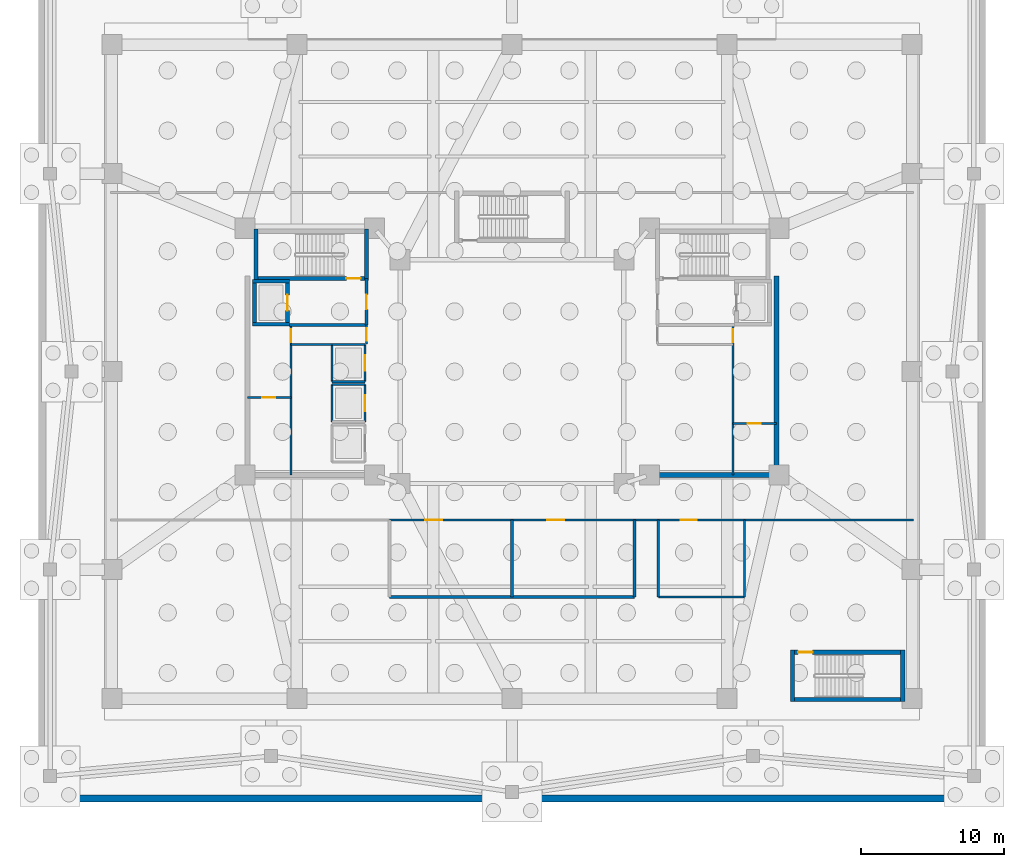
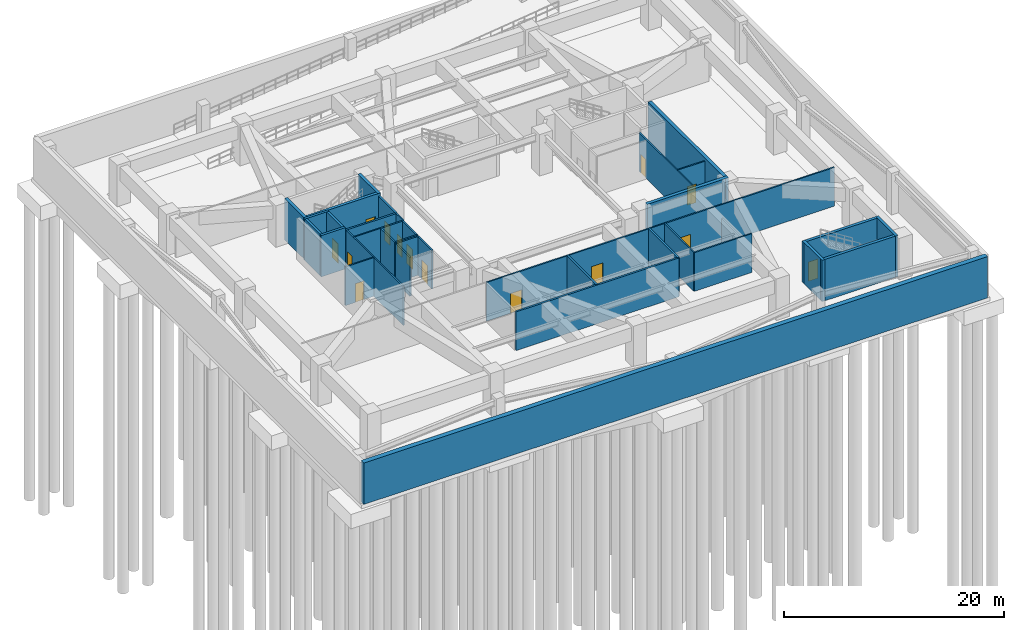
# One storey, part 4 of 9: 37 walls, 14 doors, 14 openings.
"""IFC4 building model written with IfcOpenShell, lengths in metres."""

from ifc_helpers import new_model, si_unit, direction, frame, frame_2d, origin, place, context, subcontext, project, spatial, rectangle, extrude, material, layer, layer_set, type_object, element, fill, save


model = new_model("IFC4")

# Units and contexts
model_context = context("Model", 3, precision=1e-05, world=origin(), true_north=direction((0.0, 1.0)))
body_context = subcontext(model_context, "Body", "Model", "MODEL_VIEW")
ifc_project = project(units=[si_unit("LENGTHUNIT", "METRE"), si_unit("AREAUNIT", "SQUARE_METRE"), si_unit("VOLUMEUNIT", "CUBIC_METRE"), si_unit("PLANEANGLEUNIT", "RADIAN"), si_unit("MASSUNIT", "GRAM", prefix="KILO")], contexts=[model_context])

# Site, building, storey
site_placement = place(None, origin())
site = spatial("IfcSite", under=ifc_project, at=site_placement, CompositionType="ELEMENT")
building_placement = place(site_placement, origin())
building = spatial("IfcBuilding", under=site, at=building_placement, Name="Tarnavaz Court Tower", CompositionType="ELEMENT")
storey_placement = place(building_placement, frame((0.0, 0.0, -9.199951171875)))
storey = spatial("IfcBuildingStorey", under=building, at=storey_placement, Name="B02", CompositionType="ELEMENT", Elevation=-9.199951171875)

# Wall
ifc_material_1 = material(Name="Concrete C60/75", Category="concrete")
ifc_layer_1 = layer(ifc_material_1, 0.25)
ifc_layer_set_1 = layer_set([ifc_layer_1], Name="Concrete C60/75")
wall_type_1 = type_object("IfcWallType", Name="WL-CORE-250-C60", PredefinedType="SHEAR", material=ifc_layer_set_1)
wall_1_placement = place(storey_placement, frame((-17.949951171875, 3.175048828125, 0.0), z_axis=(0.0, 0.0, 1.0), x_axis=(0.0, 1.0, 0.0)))
element("IfcWall", 1, at=wall_1_placement, inside=storey, type_object=wall_type_1, Name="B02 Lift FL-W1 Shaft Wall 021", PredefinedType="SHEAR", context=body_context, shape_type="SweptSolid", body=[
    extrude(rectangle(XDim=3.25, YDim=0.25, at=frame_2d((1.625, 0.0))), origin(), (0.0, 0.0, 1.0), 4.599853515625),
])

# Wall, opening, door
wall_2_placement = place(storey_placement, frame((-15.64990234375, 3.175048828125, 0.0), z_axis=(0.0, 0.0, 1.0), x_axis=(0.0, 1.0, 0.0)))
wall_2 = element("IfcWall", 2, at=wall_2_placement, inside=storey, type_object=wall_type_1, Name="B02 Lift FL-W1 Shaft Wall 022", PredefinedType="SHEAR", context=body_context, shape_type="SweptSolid", body=[
    extrude(rectangle(XDim=3.25, YDim=0.25, at=frame_2d((1.625, 0.0))), origin(), (0.0, 0.0, 1.0), 4.599853515625),
])
opening_1_placement = place(wall_2_placement, frame((1.074951171875, 0.0, 0.0)))
opening_1 = element("IfcOpeningElement", 3, at=opening_1_placement, cuts=wall_2, Name="Opening LD1", PredefinedType="OPENING", context=body_context, shape_type="SweptSolid", body=[
    extrude(rectangle(XDim=1.10009765625, YDim=2.14990234375, at=frame_2d((0.550048828125, 1.074951171875))), frame((0.0, 0.135009765625, 0.0), z_axis=(0.0, -1.0, 0.0), x_axis=(1.0, 0.0, 0.0)), (0.0, 0.0, 1.0), 0.27001953125),
])
ifc_material_2 = material(Name="Stainless Steel", Category="steel")
door_type_1 = type_object("IfcDoorType", Name="DR-LD-1100", OperationType="NOTDEFINED", PredefinedType="DOOR", material=ifc_material_2)
door_1_placement = place(opening_1_placement, origin())
door_1 = element("IfcDoor", 4, at=door_1_placement, inside=storey, type_object=door_type_1, Name="B02 Lift Landing Door LD-FL-W1", OperationType="SLIDING_TO_LEFT", OverallHeight=2.14990234375, OverallWidth=1.10009765625, PredefinedType="DOOR", context=body_context, shape_type="SweptSolid", body=[
    extrude(rectangle(XDim=1.10009765625, YDim=2.14990234375, at=frame_2d((0.550048828125, 1.074951171875))), frame((0.0, 0.02490234375, 0.0), z_axis=(0.0, -1.0, 0.0), x_axis=(1.0, 0.0, 0.0)), (0.0, 0.0, 1.0), 0.050048828125),
])
fill(opening_1, door_1)

# Walls
for number, where, z_axis, x_axis, name in (
    (5, (-18.074951171875, 3.300048828125, 0.0), (0.0, 0.0, 1.0), (1.0, 0.0, 0.0), "B02 Lift FL-W1 Shaft Wall 023"),
    (6, (-18.074951171875, 6.300048828125, 0.0), (0.0, 0.0, 1.0), (1.0, 0.0, 0.0), "B02 Lift FL-W1 Shaft Wall 024"),
):
    element("IfcWall", number, at=place(storey_placement, frame(where, z_axis=z_axis, x_axis=x_axis)), inside=storey, type_object=wall_type_1, Name=name, PredefinedType="SHEAR", context=body_context, shape_type="SweptSolid", body=[
        extrude(rectangle(XDim=2.550048828125, YDim=0.25, at=frame_2d((1.27490234375, 0.0))), origin(), (0.0, 0.0, 1.0), 4.599853515625),
    ])

# Wall, opening, door
ifc_layer_2 = layer(ifc_material_1, 0.300048828125)
ifc_layer_set_2 = layer_set([ifc_layer_2], Name="Concrete C60/75")
wall_type_2 = type_object("IfcWallType", Name="WL-CORE-300-C60", PredefinedType="SHEAR", material=ifc_layer_set_2)
wall_3_placement = place(storey_placement, frame((-18.0, 6.5, 0.0), z_axis=(0.0, 0.0, 1.0), x_axis=(1.0, 0.0, 0.0)))
wall_3 = element("IfcWall", 7, at=wall_3_placement, inside=storey, type_object=wall_type_2, Name="B02 West Stair Core Wall 002", PredefinedType="SHEAR", context=body_context, shape_type="SweptSolid", body=[
    extrude(rectangle(XDim=8.0, YDim=0.300048828125, at=frame_2d((4.0, 0.0))), origin(), (0.0, 0.0, 1.0), 4.599853515625),
])
opening_2_placement = place(wall_3_placement, frame((6.449951171875, 0.0, 0.0)))
opening_2 = element("IfcOpeningElement", 8, at=opening_2_placement, cuts=wall_3, Name="Opening D01", PredefinedType="OPENING", context=body_context, shape_type="SweptSolid", body=[
    extrude(rectangle(XDim=1.0, YDim=2.14990234375, at=frame_2d((0.5, 1.074951171875))), frame((0.0, 0.159912109375, 0.0), z_axis=(0.0, -1.0, 0.0), x_axis=(1.0, 0.0, 0.0)), (0.0, 0.0, 1.0), 0.320068359375),
])
ifc_material_3 = material(Name="Fire-Rated Hardwood Timber Core", Category="wood")
door_type_2 = type_object("IfcDoorType", Name="DR-FD90-1000", OperationType="NOTDEFINED", PredefinedType="DOOR", material=ifc_material_3)
door_2_placement = place(opening_2_placement, origin())
door_2 = element("IfcDoor", 9, at=door_2_placement, inside=storey, type_object=door_type_2, Name="B02 Stair ST-W1 Exit Door", OperationType="SINGLE_SWING_LEFT", OverallHeight=2.14990234375, OverallWidth=1.0, PredefinedType="DOOR", context=body_context, shape_type="SweptSolid", body=[
    extrude(rectangle(XDim=1.0, YDim=2.14990234375, at=frame_2d((0.5, 1.074951171875))), frame((0.0, 0.02490234375, 0.0), z_axis=(0.0, -1.0, 0.0), x_axis=(1.0, 0.0, 0.0)), (0.0, 0.0, 1.0), 0.050048828125),
])
fill(opening_2, door_2)

# Walls
for number, where, z_axis, x_axis, name in (
    (10, (-17.85009765625, 6.35009765625, 0.0), (0.0, 0.0, 1.0), (0.0, 1.0, 0.0), "B02 West Stair Core Wall 003"),
    (11, (-10.14990234375, 6.35009765625, 0.0), (0.0, 0.0, 1.0), (0.0, 1.0, 0.0), "B02 West Stair Core Wall 004"),
):
    element("IfcWall", number, at=place(storey_placement, frame(where, z_axis=z_axis, x_axis=x_axis)), inside=storey, type_object=wall_type_2, Name=name, PredefinedType="SHEAR", context=body_context, shape_type="SweptSolid", body=[
        extrude(rectangle(XDim=3.58984375, YDim=0.300048828125, at=frame_2d((1.794921875, 0.0))), origin(), (0.0, 0.0, 1.0), 4.599853515625),
    ])

# Wall, opening, door
wall_4_placement = place(storey_placement, frame((19.39990234375, -19.56005859375, 0.0), z_axis=(0.0, 0.0, 1.0), x_axis=(1.0, 0.0, 0.0)))
wall_4 = element("IfcWall", 12, at=wall_4_placement, inside=storey, type_object=wall_type_2, Name="B02 Podium Stair Core Wall 013", PredefinedType="SHEAR", context=body_context, shape_type="SweptSolid", body=[
    extrude(rectangle(XDim=8.0, YDim=0.300048828125, at=frame_2d((4.0, 0.0))), origin(), (0.0, 0.0, 1.0), 4.599853515625),
])
opening_3_placement = place(wall_4_placement, frame((0.550048828125, 0.0, 0.0)))
opening_3 = element("IfcOpeningElement", 13, at=opening_3_placement, cuts=wall_4, Name="Opening D01", PredefinedType="OPENING", context=body_context, shape_type="SweptSolid", body=[
    extrude(rectangle(XDim=1.0, YDim=2.14990234375, at=frame_2d((0.5, 1.074951171875))), frame((0.0, 0.159912109375, 0.0), z_axis=(0.0, -1.0, 0.0), x_axis=(1.0, 0.0, 0.0)), (0.0, 0.0, 1.0), 0.320068359375),
])
door_3_placement = place(opening_3_placement, origin())
door_3 = element("IfcDoor", 14, at=door_3_placement, inside=storey, type_object=door_type_2, Name="B02 Stair ST-P1 Exit Door", OperationType="SINGLE_SWING_RIGHT", OverallHeight=2.14990234375, OverallWidth=1.0, PredefinedType="DOOR", context=body_context, shape_type="SweptSolid", body=[
    extrude(rectangle(XDim=1.0, YDim=2.14990234375, at=frame_2d((0.5, 1.074951171875))), frame((0.0, 0.02490234375, 0.0), z_axis=(0.0, -1.0, 0.0), x_axis=(1.0, 0.0, 0.0)), (0.0, 0.0, 1.0), 0.050048828125),
])
fill(opening_3, door_3)

# Walls
wall_5_placement = place(storey_placement, frame((19.39990234375, -22.85009765625, 0.0), z_axis=(0.0, 0.0, 1.0), x_axis=(1.0, 0.0, 0.0)))
element("IfcWall", 15, at=wall_5_placement, inside=storey, type_object=wall_type_2, Name="B02 Podium Stair Core Wall 014", PredefinedType="SHEAR", context=body_context, shape_type="SweptSolid", body=[
    extrude(rectangle(XDim=8.0, YDim=0.300048828125, at=frame_2d((4.0, 0.0))), origin(), (0.0, 0.0, 1.0), 4.599853515625),
])
for number, where, z_axis, x_axis, name in (
    (16, (19.550048828125, -23.0, 0.0), (0.0, 0.0, 1.0), (0.0, 1.0, 0.0), "B02 Podium Stair Core Wall 015"),
    (17, (27.25, -23.0, 0.0), (0.0, 0.0, 1.0), (0.0, 1.0, 0.0), "B02 Podium Stair Core Wall 016"),
):
    element("IfcWall", number, at=place(storey_placement, frame(where, z_axis=z_axis, x_axis=x_axis)), inside=storey, type_object=wall_type_2, Name=name, PredefinedType="SHEAR", context=body_context, shape_type="SweptSolid", body=[
        extrude(rectangle(XDim=3.590087890625, YDim=0.300048828125, at=frame_2d((1.794921875, 0.0))), origin(), (0.0, 0.0, 1.0), 4.599853515625),
    ])
ifc_layer_3 = layer(ifc_material_1, 0.35009765625)
ifc_layer_set_3 = layer_set([ifc_layer_3], Name="Concrete C60/75")
wall_type_3 = type_object("IfcWallType", Name="WL-CORE-350-C60", PredefinedType="SHEAR", material=ifc_layer_set_3)
wall_6_placement = place(storey_placement, frame((18.449951171875, -7.375, 0.0), z_axis=(0.0, 0.0, 1.0), x_axis=(0.0, 1.0, 0.0)))
element("IfcWall", 18, at=wall_6_placement, inside=storey, type_object=wall_type_3, Name="B02 East Core Shear Wall 043", PredefinedType="SHEAR", context=body_context, shape_type="SweptSolid", body=[
    extrude(rectangle(XDim=14.050048828125, YDim=0.35009765625, at=frame_2d((7.02490234375, 0.0))), origin(), (0.0, 0.0, 1.0), 4.599853515625),
])
wall_7_placement = place(storey_placement, frame((10.074951171875, -7.199951171875, 0.0), z_axis=(0.0, 0.0, 1.0), x_axis=(1.0, 0.0, 0.0)))
element("IfcWall", 19, at=wall_7_placement, inside=storey, type_object=wall_type_3, Name="B02 East Core South Shear Wall 044", PredefinedType="SHEAR", context=body_context, shape_type="SweptSolid", body=[
    extrude(rectangle(XDim=8.550048828125, YDim=0.35009765625, at=frame_2d((4.27490234375, 0.0))), origin(), (0.0, 0.0, 1.0), 4.599853515625),
])

# Wall, openings, doors
ifc_material_4 = material(Name="Gypsum Fire-Board on Acoustic Metal Stud", Category="masonry")
ifc_layer_4 = layer(ifc_material_4, 0.14990234375)
ifc_layer_set_4 = layer_set([ifc_layer_4], Name="Gypsum Fire-Board on Acoustic Metal Stud")
wall_type_4 = type_object("IfcWallType", Name="WL-FIRE-150", PredefinedType="PARTITIONING", material=ifc_layer_set_4)
wall_8_placement = place(storey_placement, frame((-8.550048828125, -10.35009765625, 0.0), z_axis=(0.0, 0.0, 1.0), x_axis=(1.0, 0.0, 0.0)))
wall_8 = element("IfcWall", 20, at=wall_8_placement, inside=storey, type_object=wall_type_4, Name="B02 South Ring Corridor Wall 056", PredefinedType="PARTITIONING", context=body_context, shape_type="SweptSolid", body=[
    extrude(rectangle(XDim=17.10009765625, YDim=0.14990234375, at=frame_2d((8.550048828125, 0.0))), origin(), (0.0, 0.0, 1.0), 4.300048828125),
])
opening_4_placement = place(wall_8_placement, frame((2.5, 0.0, 0.0)))
opening_4 = element("IfcOpeningElement", 21, at=opening_4_placement, cuts=wall_8, Name="Opening D03", PredefinedType="OPENING", context=body_context, shape_type="SweptSolid", body=[
    extrude(rectangle(XDim=1.199951171875, YDim=2.199951171875, at=frame_2d((0.60009765625, 1.10009765625))), frame((0.0, 0.0849609375, 0.0), z_axis=(0.0, -1.0, 0.0), x_axis=(1.0, 0.0, 0.0)), (0.0, 0.0, 1.0), 0.169921875),
])
opening_5_placement = place(wall_8_placement, frame((11.0, 0.0, 0.0)))
opening_5 = element("IfcOpeningElement", 22, at=opening_5_placement, cuts=wall_8, Name="Opening D03", PredefinedType="OPENING", context=body_context, shape_type="SweptSolid", body=[
    extrude(rectangle(XDim=1.199951171875, YDim=2.199951171875, at=frame_2d((0.60009765625, 1.10009765625))), frame((0.0, 0.0849609375, 0.0), z_axis=(0.0, -1.0, 0.0), x_axis=(1.0, 0.0, 0.0)), (0.0, 0.0, 1.0), 0.169921875),
])
door_type_3 = type_object("IfcDoorType", Name="DR-FD90-1200", OperationType="NOTDEFINED", PredefinedType="DOOR", material=ifc_material_3)
door_4_placement = place(opening_4_placement, origin())
door_4 = element("IfcDoor", 23, at=door_4_placement, inside=storey, type_object=door_type_3, Name="B02 B02 West Plant Room Door", OperationType="SINGLE_SWING_LEFT", OverallHeight=2.199951171875, OverallWidth=1.199951171875, PredefinedType="DOOR", context=body_context, shape_type="SweptSolid", body=[
    extrude(rectangle(XDim=1.199951171875, YDim=2.199951171875, at=frame_2d((0.60009765625, 1.10009765625))), frame((0.0, 0.02490234375, 0.0), z_axis=(0.0, -1.0, 0.0), x_axis=(1.0, 0.0, 0.0)), (0.0, 0.0, 1.0), 0.050048828125),
])
fill(opening_4, door_4)
door_5_placement = place(opening_5_placement, origin())
door_5 = element("IfcDoor", 24, at=door_5_placement, inside=storey, type_object=door_type_3, Name="B02 B02 East Plant Room Door", OperationType="SINGLE_SWING_RIGHT", OverallHeight=2.199951171875, OverallWidth=1.199951171875, PredefinedType="DOOR", context=body_context, shape_type="SweptSolid", body=[
    extrude(rectangle(XDim=1.199951171875, YDim=2.199951171875, at=frame_2d((0.60009765625, 1.10009765625))), frame((0.0, 0.02490234375, 0.0), z_axis=(0.0, -1.0, 0.0), x_axis=(1.0, 0.0, 0.0)), (0.0, 0.0, 1.0), 0.050048828125),
])
fill(opening_5, door_5)

# Wall, opening, door
wall_9_placement = place(storey_placement, frame((8.550048828125, -10.35009765625, 0.0), z_axis=(0.0, 0.0, 1.0), x_axis=(1.0, 0.0, 0.0)))
wall_9 = element("IfcWall", 25, at=wall_9_placement, inside=storey, type_object=wall_type_4, Name="B02 SE Corridor Wall 057", PredefinedType="PARTITIONING", context=body_context, shape_type="SweptSolid", body=[
    extrude(rectangle(XDim=19.449951171875, YDim=0.14990234375, at=frame_2d((9.72509765625, 0.0))), origin(), (0.0, 0.0, 1.0), 4.300048828125),
])
opening_6_placement = place(wall_9_placement, frame((3.199951171875, 0.0, 0.0)))
opening_6 = element("IfcOpeningElement", 26, at=opening_6_placement, cuts=wall_9, Name="Opening D04", PredefinedType="OPENING", context=body_context, shape_type="SweptSolid", body=[
    extrude(rectangle(XDim=1.1201171875, YDim=2.14990234375, at=frame_2d((0.56005859375, 1.074951171875))), frame((0.0, 0.0849609375, 0.0), z_axis=(0.0, -1.0, 0.0), x_axis=(1.0, 0.0, 0.0)), (0.0, 0.0, 1.0), 0.169921875),
])
door_type_4 = type_object("IfcDoorType", Name="DR-FD60-1100", OperationType="NOTDEFINED", PredefinedType="DOOR", material=ifc_material_3)
door_6_placement = place(opening_6_placement, origin())
door_6 = element("IfcDoor", 27, at=door_6_placement, inside=storey, type_object=door_type_4, Name="B02 B02 Cycle Storage Door", OperationType="SINGLE_SWING_RIGHT", OverallHeight=2.14990234375, OverallWidth=1.1201171875, PredefinedType="DOOR", context=body_context, shape_type="SweptSolid", body=[
    extrude(rectangle(XDim=1.1201171875, YDim=2.14990234375, at=frame_2d((0.56005859375, 1.074951171875))), frame((0.0, 0.02490234375, 0.0), z_axis=(0.0, -1.0, 0.0), x_axis=(1.0, 0.0, 0.0)), (0.0, 0.0, 1.0), 0.050048828125),
])
fill(opening_6, door_6)

# Walls
wall_10_placement = place(storey_placement, frame((10.199951171875, -15.699951171875, 0.0), z_axis=(0.0, 0.0, 1.0), x_axis=(1.0, 0.0, 0.0)))
element("IfcWall", 28, at=wall_10_placement, inside=storey, type_object=wall_type_4, Name="B02 Interior Partition 062", PredefinedType="PARTITIONING", context=body_context, shape_type="SweptSolid", body=[
    extrude(rectangle(XDim=6.0, YDim=0.14990234375, at=frame_2d((3.0, 0.0))), origin(), (0.0, 0.0, 1.0), 4.300048828125),
])
wall_11_placement = place(storey_placement, frame((16.199951171875, -15.699951171875, 0.0), z_axis=(0.0, 0.0, 1.0), x_axis=(0.0, 1.0, 0.0)))
element("IfcWall", 29, at=wall_11_placement, inside=storey, type_object=wall_type_4, Name="B02 Interior Partition 063", PredefinedType="PARTITIONING", context=body_context, shape_type="SweptSolid", body=[
    extrude(rectangle(XDim=5.349853515625, YDim=0.14990234375, at=frame_2d((2.6748046875, 0.0))), origin(), (0.0, 0.0, 1.0), 2.784912109375),
])
wall_12_placement = place(storey_placement, frame((10.199951171875, -15.699951171875, 0.0), z_axis=(0.0, 0.0, 1.0), x_axis=(0.0, 1.0, 0.0)))
element("IfcWall", 30, at=wall_12_placement, inside=storey, type_object=wall_type_4, Name="B02 Interior Partition 064", PredefinedType="PARTITIONING", context=body_context, shape_type="SweptSolid", body=[
    extrude(rectangle(XDim=5.349853515625, YDim=0.14990234375, at=frame_2d((2.6748046875, 0.0))), origin(), (0.0, 0.0, 1.0), 4.300048828125),
])
ifc_material_5 = material(Name="Autoclaved Aerated Concrete Blockwork", Category="masonry")
ifc_layer_5 = layer(ifc_material_5, 0.199951171875)
ifc_layer_set_5 = layer_set([ifc_layer_5], Name="Autoclaved Aerated Concrete Blockwork")
wall_type_5 = type_object("IfcWallType", Name="WL-FIRE-200", PredefinedType="SOLIDWALL", material=ifc_layer_set_5)
wall_13_placement = place(storey_placement, frame((-15.550048828125, 3.25, 0.0), z_axis=(0.0, 0.0, 1.0), x_axis=(1.0, 0.0, 0.0)))
element("IfcWall", 31, at=wall_13_placement, inside=storey, type_object=wall_type_5, Name="B02 West Firefighting Lobby Wall 017", PredefinedType="SOLIDWALL", context=body_context, shape_type="SweptSolid", body=[
    extrude(rectangle(XDim=5.400146484375, YDim=0.199951171875, at=frame_2d((2.7001953125, 0.0))), origin(), (0.0, 0.0, 1.0), 4.300048828125),
])

# Wall, opening, door
wall_14_placement = place(storey_placement, frame((-10.14990234375, 3.25, 0.0), z_axis=(0.0, 0.0, 1.0), x_axis=(0.0, 1.0, 0.0)))
wall_14 = element("IfcWall", 32, at=wall_14_placement, inside=storey, type_object=wall_type_5, Name="B02 West Firefighting Lobby Wall 018", PredefinedType="SOLIDWALL", context=body_context, shape_type="SweptSolid", body=[
    extrude(rectangle(XDim=3.25, YDim=0.199951171875, at=frame_2d((1.625, 0.0))), origin(), (0.0, 0.0, 1.0), 4.300048828125),
])
opening_7_placement = place(wall_14_placement, frame((1.10009765625, 0.0, 0.0)))
opening_7 = element("IfcOpeningElement", 33, at=opening_7_placement, cuts=wall_14, Name="Opening D05", PredefinedType="OPENING", context=body_context, shape_type="SweptSolid", body=[
    extrude(rectangle(XDim=1.02001953125, YDim=2.14990234375, at=frame_2d((0.510009765625, 1.074951171875))), frame((0.0, 0.10986328125, 0.0), z_axis=(0.0, -1.0, 0.0), x_axis=(1.0, 0.0, 0.0)), (0.0, 0.0, 1.0), 0.219970703125),
])
door_type_5 = type_object("IfcDoorType", Name="DR-FD60-1000", OperationType="NOTDEFINED", PredefinedType="DOOR", material=ifc_material_3)
door_7_placement = place(opening_7_placement, origin())
door_7 = element("IfcDoor", 34, at=door_7_placement, inside=storey, type_object=door_type_5, Name="B02 West Firefighting Lobby Door", OperationType="SINGLE_SWING_RIGHT", OverallHeight=2.14990234375, OverallWidth=1.02001953125, PredefinedType="DOOR", context=body_context, shape_type="SweptSolid", body=[
    extrude(rectangle(XDim=1.02001953125, YDim=2.14990234375, at=frame_2d((0.510009765625, 1.074951171875))), frame((0.0, 0.02490234375, 0.0), z_axis=(0.0, -1.0, 0.0), x_axis=(1.0, 0.0, 0.0)), (0.0, 0.0, 1.0), 0.050048828125),
])
fill(opening_7, door_7)

# Walls
wall_15_placement = place(storey_placement, frame((-8.550048828125, -15.699951171875, 0.0), z_axis=(0.0, 0.0, 1.0), x_axis=(1.0, 0.0, 0.0)))
element("IfcWall", 35, at=wall_15_placement, inside=storey, type_object=wall_type_5, Name="B02 Interior Partition 058", PredefinedType="SOLIDWALL", context=body_context, shape_type="SweptSolid", body=[
    extrude(rectangle(XDim=17.10009765625, YDim=0.199951171875, at=frame_2d((8.550048828125, 0.0))), origin(), (0.0, 0.0, 1.0), 4.300048828125),
])
for number, where, z_axis, x_axis, name in (
    (36, (8.550048828125, -15.699951171875, 0.0), (0.0, 0.0, 1.0), (0.0, 1.0, 0.0), "B02 Interior Partition 060"),
    (37, (0.0, -15.699951171875, 0.0), (0.0, 0.0, 1.0), (0.0, 1.0, 0.0), "B02 Interior Partition 061"),
):
    element("IfcWall", number, at=place(storey_placement, frame(where, z_axis=z_axis, x_axis=x_axis)), inside=storey, type_object=wall_type_5, Name=name, PredefinedType="SOLIDWALL", context=body_context, shape_type="SweptSolid", body=[
        extrude(rectangle(XDim=5.349853515625, YDim=0.199951171875, at=frame_2d((2.6748046875, 0.0))), origin(), (0.0, 0.0, 1.0), 4.300048828125),
    ])
ifc_material_6 = material(Name="Gypsum Plasterboard Acoustic Partition", Category="masonry")
ifc_layer_6 = layer(ifc_material_6, 0.139892578125)
ifc_layer_set_6 = layer_set([ifc_layer_6], Name="Gypsum Plasterboard Acoustic Partition")
wall_type_6 = type_object("IfcWallType", Name="WL-PART-150", PredefinedType="PARTITIONING", material=ifc_layer_set_6)
wall_16_placement = place(storey_placement, frame((-15.39990234375, 1.89990234375, 0.0), z_axis=(0.0, 0.0, 1.0), x_axis=(1.0, 0.0, 0.0)))
element("IfcWall", 38, at=wall_16_placement, inside=storey, type_object=wall_type_6, Name="B02 Interior Partition 045", PredefinedType="PARTITIONING", context=body_context, shape_type="SweptSolid", body=[
    extrude(rectangle(XDim=2.849853515625, YDim=0.139892578125, at=frame_2d((1.4248046875, 0.0))), origin(), (0.0, 0.0, 1.0), 4.300048828125),
])

# Wall, opening, door
wall_17_placement = place(storey_placement, frame((-10.14990234375, 1.919921875, 0.0), z_axis=(0.0, 0.0, 1.0), x_axis=(0.0, 1.0, 0.0)))
wall_17 = element("IfcWall", 39, at=wall_17_placement, inside=storey, type_object=wall_type_6, Name="B02 Interior Partition 046", PredefinedType="PARTITIONING", context=body_context, shape_type="SweptSolid", body=[
    extrude(rectangle(XDim=1.330078125, YDim=0.139892578125, at=frame_2d((0.6650390625, 0.0))), origin(), (0.0, 0.0, 1.0), 4.300048828125),
])
opening_8_placement = place(wall_17_placement, frame((0.219970703125, 0.0, 0.0)))
opening_8 = element("IfcOpeningElement", 40, at=opening_8_placement, cuts=wall_17, Name="Opening D09", PredefinedType="OPENING", context=body_context, shape_type="SweptSolid", body=[
    extrude(rectangle(XDim=0.89990234375, YDim=2.080078125, at=frame_2d((0.449951171875, 1.0400390625))), frame((0.0, 0.079833984375, 0.0), z_axis=(0.0, -1.0, 0.0), x_axis=(1.0, 0.0, 0.0)), (0.0, 0.0, 1.0), 0.159912109375),
])
door_type_6 = type_object("IfcDoorType", Name="DR-FD30-900", OperationType="NOTDEFINED", PredefinedType="DOOR", material=ifc_material_3)
door_8_placement = place(opening_8_placement, origin())
door_8 = element("IfcDoor", 41, at=door_8_placement, inside=storey, type_object=door_type_6, Name="B02 West Core Service Lobby Door", OperationType="SINGLE_SWING_RIGHT", OverallHeight=2.080078125, OverallWidth=0.89990234375, PredefinedType="DOOR", context=body_context, shape_type="SweptSolid", body=[
    extrude(rectangle(XDim=0.89990234375, YDim=2.080078125, at=frame_2d((0.449951171875, 1.0400390625))), frame((0.0, 0.02490234375, 0.0), z_axis=(0.0, -1.0, 0.0), x_axis=(1.0, 0.0, 0.0)), (0.0, 0.0, 1.0), 0.050048828125),
])
fill(opening_8, door_8)

wall_18_placement = place(storey_placement, frame((-15.39990234375, -7.199951171875, 0.0), z_axis=(0.0, 0.0, 1.0), x_axis=(0.0, 1.0, 0.0)))
wall_18 = element("IfcWall", 42, at=wall_18_placement, inside=storey, type_object=wall_type_6, Name="B02 Interior Partition 047", PredefinedType="PARTITIONING", context=body_context, shape_type="SweptSolid", body=[
    extrude(rectangle(XDim=10.449951171875, YDim=0.139892578125, at=frame_2d((5.22509765625, 0.0))), origin(), (0.0, 0.0, 1.0), 4.300048828125),
])
opening_9_placement = place(wall_18_placement, frame((9.25, 0.0, 0.0)))
opening_9 = element("IfcOpeningElement", 43, at=opening_9_placement, cuts=wall_18, Name="Opening D09", PredefinedType="OPENING", context=body_context, shape_type="SweptSolid", body=[
    extrude(rectangle(XDim=0.89990234375, YDim=2.080078125, at=frame_2d((0.449951171875, 1.0400390625))), frame((0.0, 0.079833984375, 0.0), z_axis=(0.0, -1.0, 0.0), x_axis=(1.0, 0.0, 0.0)), (0.0, 0.0, 1.0), 0.159912109375),
])
door_9_placement = place(opening_9_placement, origin())
door_9 = element("IfcDoor", 44, at=door_9_placement, inside=storey, type_object=door_type_6, Name="B02 West Telecom Room Door", OperationType="SINGLE_SWING_LEFT", OverallHeight=2.080078125, OverallWidth=0.89990234375, PredefinedType="DOOR", context=body_context, shape_type="SweptSolid", body=[
    extrude(rectangle(XDim=0.89990234375, YDim=2.080078125, at=frame_2d((0.449951171875, 1.0400390625))), frame((0.0, 0.02490234375, 0.0), z_axis=(0.0, -1.0, 0.0), x_axis=(1.0, 0.0, 0.0)), (0.0, 0.0, 1.0), 0.050048828125),
])
fill(opening_9, door_9)

wall_19_placement = place(storey_placement, frame((-18.449951171875, -1.800048828125, 0.0), z_axis=(0.0, 0.0, 1.0), x_axis=(1.0, 0.0, 0.0)))
wall_19 = element("IfcWall", 45, at=wall_19_placement, inside=storey, type_object=wall_type_6, Name="B02 Interior Partition 048", PredefinedType="PARTITIONING", context=body_context, shape_type="SweptSolid", body=[
    extrude(rectangle(XDim=3.050048828125, YDim=0.139892578125, at=frame_2d((1.52490234375, 0.0))), origin(), (0.0, 0.0, 1.0), 4.300048828125),
])
opening_10_placement = place(wall_19_placement, frame((1.050048828125, 0.0, 0.0)))
opening_10 = element("IfcOpeningElement", 46, at=opening_10_placement, cuts=wall_19, Name="Opening D09", PredefinedType="OPENING", context=body_context, shape_type="SweptSolid", body=[
    extrude(rectangle(XDim=0.89990234375, YDim=2.080078125, at=frame_2d((0.449951171875, 1.0400390625))), frame((0.0, 0.079833984375, 0.0), z_axis=(0.0, -1.0, 0.0), x_axis=(1.0, 0.0, 0.0)), (0.0, 0.0, 1.0), 0.159912109375),
])
door_10_placement = place(opening_10_placement, origin())
door_10 = element("IfcDoor", 47, at=door_10_placement, inside=storey, type_object=door_type_6, Name="B02 West Electrical Room Door", OperationType="SINGLE_SWING_RIGHT", OverallHeight=2.080078125, OverallWidth=0.89990234375, PredefinedType="DOOR", context=body_context, shape_type="SweptSolid", body=[
    extrude(rectangle(XDim=0.89990234375, YDim=2.080078125, at=frame_2d((0.449951171875, 1.0400390625))), frame((0.0, 0.02490234375, 0.0), z_axis=(0.0, -1.0, 0.0), x_axis=(1.0, 0.0, 0.0)), (0.0, 0.0, 1.0), 0.050048828125),
])
fill(opening_10, door_10)

wall_20_placement = place(storey_placement, frame((15.39990234375, -7.199951171875, 0.0), z_axis=(0.0, 0.0, 1.0), x_axis=(0.0, 1.0, 0.0)))
wall_20 = element("IfcWall", 48, at=wall_20_placement, inside=storey, type_object=wall_type_6, Name="B02 Interior Partition 051", PredefinedType="PARTITIONING", context=body_context, shape_type="SweptSolid", body=[
    extrude(rectangle(XDim=10.449951171875, YDim=0.139892578125, at=frame_2d((5.22509765625, 0.0))), origin(), (0.0, 0.0, 1.0), 4.300048828125),
])
opening_11_placement = place(wall_20_placement, frame((9.25, 0.0, 0.0)))
opening_11 = element("IfcOpeningElement", 49, at=opening_11_placement, cuts=wall_20, Name="Opening D09", PredefinedType="OPENING", context=body_context, shape_type="SweptSolid", body=[
    extrude(rectangle(XDim=0.89990234375, YDim=2.080078125, at=frame_2d((0.449951171875, 1.0400390625))), frame((0.0, 0.079833984375, 0.0), z_axis=(0.0, -1.0, 0.0), x_axis=(1.0, 0.0, 0.0)), (0.0, 0.0, 1.0), 0.159912109375),
])
door_11_placement = place(opening_11_placement, origin())
door_11 = element("IfcDoor", 50, at=door_11_placement, inside=storey, type_object=door_type_6, Name="B02 East Wet Riser Door", OperationType="SINGLE_SWING_RIGHT", OverallHeight=2.080078125, OverallWidth=0.89990234375, PredefinedType="DOOR", context=body_context, shape_type="SweptSolid", body=[
    extrude(rectangle(XDim=0.89990234375, YDim=2.080078125, at=frame_2d((0.449951171875, 1.0400390625))), frame((0.0, 0.02490234375, 0.0), z_axis=(0.0, -1.0, 0.0), x_axis=(1.0, 0.0, 0.0)), (0.0, 0.0, 1.0), 0.050048828125),
])
fill(opening_11, door_11)

wall_21_placement = place(storey_placement, frame((15.39990234375, -3.6201171875, 0.0), z_axis=(0.0, 0.0, 1.0), x_axis=(1.0, 0.0, 0.0)))
wall_21 = element("IfcWall", 51, at=wall_21_placement, inside=storey, type_object=wall_type_6, Name="B02 Interior Partition 052", PredefinedType="PARTITIONING", context=body_context, shape_type="SweptSolid", body=[
    extrude(rectangle(XDim=3.050048828125, YDim=0.139892578125, at=frame_2d((1.52490234375, 0.0))), origin(), (0.0, 0.0, 1.0), 4.300048828125),
])
opening_12_placement = place(wall_21_placement, frame((1.050048828125, 0.0, 0.0)))
opening_12 = element("IfcOpeningElement", 52, at=opening_12_placement, cuts=wall_21, Name="Opening D09", PredefinedType="OPENING", context=body_context, shape_type="SweptSolid", body=[
    extrude(rectangle(XDim=0.89990234375, YDim=2.080078125, at=frame_2d((0.449951171875, 1.0400390625))), frame((0.0, 0.079833984375, 0.0), z_axis=(0.0, -1.0, 0.0), x_axis=(1.0, 0.0, 0.0)), (0.0, 0.0, 1.0), 0.159912109375),
])
door_12_placement = place(opening_12_placement, origin())
door_12 = element("IfcDoor", 53, at=door_12_placement, inside=storey, type_object=door_type_6, Name="B02 East Electrical Plant Door", OperationType="SINGLE_SWING_LEFT", OverallHeight=2.080078125, OverallWidth=0.89990234375, PredefinedType="DOOR", context=body_context, shape_type="SweptSolid", body=[
    extrude(rectangle(XDim=0.89990234375, YDim=2.080078125, at=frame_2d((0.449951171875, 1.0400390625))), frame((0.0, 0.02490234375, 0.0), z_axis=(0.0, -1.0, 0.0), x_axis=(1.0, 0.0, 0.0)), (0.0, 0.0, 1.0), 0.050048828125),
])
fill(opening_12, door_12)

# Walls
ifc_material_7 = material(Name="Concrete C50/60", Category="concrete")
ifc_layer_7 = layer(ifc_material_7, 0.5)
ifc_layer_set_7 = layer_set([ifc_layer_7], Name="Concrete C50/60")
wall_type_7 = type_object("IfcWallType", Name="WL-RET-500", PredefinedType="USERDEFINED", material=ifc_layer_set_7)
wall_22_placement = place(storey_placement, frame((32.75, -29.75, 0.0), z_axis=(0.0, 0.0, 1.0), x_axis=(-1.0, 0.0, 0.0)))
element("IfcWall", 54, at=wall_22_placement, inside=storey, type_object=wall_type_7, Name="B02 Perimeter Retaining Wall 3", ObjectType="RETAINING WALL", PredefinedType="USERDEFINED", context=body_context, shape_type="SweptSolid", body=[
    extrude(rectangle(XDim=65.5, YDim=0.5, at=frame_2d((32.75, 0.0))), origin(), (0.0, 0.0, 1.0), 4.599853515625),
])
ifc_layer_8 = layer(ifc_material_5, 0.159912109375)
ifc_layer_set_8 = layer_set([ifc_layer_8], Name="Autoclaved Aerated Concrete Blockwork")
wall_type_8 = type_object("IfcWallType", Name="WL-SHAFT-150", PredefinedType="SOLIDWALL", material=ifc_layer_set_8)
wall_23_placement = place(storey_placement, frame((-12.550048828125, -3.5, 0.0), z_axis=(0.0, 0.0, 1.0), x_axis=(0.0, 1.0, 0.0)))
element("IfcWall", 55, at=wall_23_placement, inside=storey, type_object=wall_type_8, Name="B02 Lift PL-L2 Shaft Wall 029", PredefinedType="SOLIDWALL", context=body_context, shape_type="SweptSolid", body=[
    extrude(rectangle(XDim=2.60009765625, YDim=0.159912109375, at=frame_2d((1.300048828125, 0.0))), origin(), (0.0, 0.0, 1.0), 4.300048828125),
])

# Wall, opening, door
wall_24_placement = place(storey_placement, frame((-10.25, -3.5, 0.0), z_axis=(0.0, 0.0, 1.0), x_axis=(0.0, 1.0, 0.0)))
wall_24 = element("IfcWall", 56, at=wall_24_placement, inside=storey, type_object=wall_type_8, Name="B02 Lift PL-L2 Shaft Wall 030", PredefinedType="SOLIDWALL", context=body_context, shape_type="SweptSolid", body=[
    extrude(rectangle(XDim=2.60009765625, YDim=0.159912109375, at=frame_2d((1.300048828125, 0.0))), origin(), (0.0, 0.0, 1.0), 4.300048828125),
])
opening_13_placement = place(wall_24_placement, frame((0.75, 0.0, 0.0)))
opening_13 = element("IfcOpeningElement", 57, at=opening_13_placement, cuts=wall_24, Name="Opening LD1", PredefinedType="OPENING", context=body_context, shape_type="SweptSolid", body=[
    extrude(rectangle(XDim=1.10009765625, YDim=2.14990234375, at=frame_2d((0.550048828125, 1.074951171875))), frame((0.0, 0.08984375, 0.0), z_axis=(0.0, -1.0, 0.0), x_axis=(1.0, 0.0, 0.0)), (0.0, 0.0, 1.0), 0.179931640625),
])
door_13_placement = place(opening_13_placement, origin())
door_13 = element("IfcDoor", 58, at=door_13_placement, inside=storey, type_object=door_type_1, Name="B02 Lift Landing Door LD-PL-L2", OperationType="SLIDING_TO_LEFT", OverallHeight=2.14990234375, OverallWidth=1.10009765625, PredefinedType="DOOR", context=body_context, shape_type="SweptSolid", body=[
    extrude(rectangle(XDim=1.10009765625, YDim=2.14990234375, at=frame_2d((0.550048828125, 1.074951171875))), frame((0.0, 0.02490234375, 0.0), z_axis=(0.0, -1.0, 0.0), x_axis=(1.0, 0.0, 0.0)), (0.0, 0.0, 1.0), 0.050048828125),
])
fill(opening_13, door_13)

# Walls
wall_25_placement = place(storey_placement, frame((-12.550048828125, -0.89990234375, 0.0), z_axis=(0.0, 0.0, 1.0), x_axis=(1.0, 0.0, 0.0)))
element("IfcWall", 59, at=wall_25_placement, inside=storey, type_object=wall_type_8, Name="B02 Lift PL-L2 Shaft Wall 032", PredefinedType="SOLIDWALL", context=body_context, shape_type="SweptSolid", body=[
    extrude(rectangle(XDim=2.300048828125, YDim=0.159912109375, at=frame_2d((1.14990234375, 0.0))), origin(), (0.0, 0.0, 1.0), 4.300048828125),
])
wall_26_placement = place(storey_placement, frame((-12.550048828125, -0.699951171875, 0.0), z_axis=(0.0, 0.0, 1.0), x_axis=(0.0, 1.0, 0.0)))
element("IfcWall", 60, at=wall_26_placement, inside=storey, type_object=wall_type_8, Name="B02 Lift PL-L3 Shaft Wall 033", PredefinedType="SOLIDWALL", context=body_context, shape_type="SweptSolid", body=[
    extrude(rectangle(XDim=2.599853515625, YDim=0.159912109375, at=frame_2d((1.2998046875, 0.0))), origin(), (0.0, 0.0, 1.0), 4.300048828125),
])

# Wall, opening, door
wall_27_placement = place(storey_placement, frame((-10.25, -0.699951171875, 0.0), z_axis=(0.0, 0.0, 1.0), x_axis=(0.0, 1.0, 0.0)))
wall_27 = element("IfcWall", 61, at=wall_27_placement, inside=storey, type_object=wall_type_8, Name="B02 Lift PL-L3 Shaft Wall 034", PredefinedType="SOLIDWALL", context=body_context, shape_type="SweptSolid", body=[
    extrude(rectangle(XDim=2.599853515625, YDim=0.159912109375, at=frame_2d((1.2998046875, 0.0))), origin(), (0.0, 0.0, 1.0), 4.300048828125),
])
opening_14_placement = place(wall_27_placement, frame((0.75, 0.0, 0.0)))
opening_14 = element("IfcOpeningElement", 62, at=opening_14_placement, cuts=wall_27, Name="Opening LD1", PredefinedType="OPENING", context=body_context, shape_type="SweptSolid", body=[
    extrude(rectangle(XDim=1.10009765625, YDim=2.14990234375, at=frame_2d((0.550048828125, 1.074951171875))), frame((0.0, 0.08984375, 0.0), z_axis=(0.0, -1.0, 0.0), x_axis=(1.0, 0.0, 0.0)), (0.0, 0.0, 1.0), 0.179931640625),
])
door_14_placement = place(opening_14_placement, origin())
door_14 = element("IfcDoor", 63, at=door_14_placement, inside=storey, type_object=door_type_1, Name="B02 Lift Landing Door LD-PL-L3", OperationType="SLIDING_TO_LEFT", OverallHeight=2.14990234375, OverallWidth=1.10009765625, PredefinedType="DOOR", context=body_context, shape_type="SweptSolid", body=[
    extrude(rectangle(XDim=1.10009765625, YDim=2.14990234375, at=frame_2d((0.550048828125, 1.074951171875))), frame((0.0, 0.02490234375, 0.0), z_axis=(0.0, -1.0, 0.0), x_axis=(1.0, 0.0, 0.0)), (0.0, 0.0, 1.0), 0.050048828125),
])
fill(opening_14, door_14)

# Walls
for number, where, z_axis, x_axis, name in (
    (64, (-12.550048828125, -0.699951171875, 0.0), (0.0, 0.0, 1.0), (1.0, 0.0, 0.0), "B02 Lift PL-L3 Shaft Wall 035"),
    (65, (-12.550048828125, 1.89990234375, 0.0), (0.0, 0.0, 1.0), (1.0, 0.0, 0.0), "B02 Lift PL-L3 Shaft Wall 036"),
):
    element("IfcWall", number, at=place(storey_placement, frame(where, z_axis=z_axis, x_axis=x_axis)), inside=storey, type_object=wall_type_8, Name=name, PredefinedType="SOLIDWALL", context=body_context, shape_type="SweptSolid", body=[
        extrude(rectangle(XDim=2.300048828125, YDim=0.159912109375, at=frame_2d((1.14990234375, 0.0))), origin(), (0.0, 0.0, 1.0), 4.300048828125),
    ])

save(model, "model.ifc")
